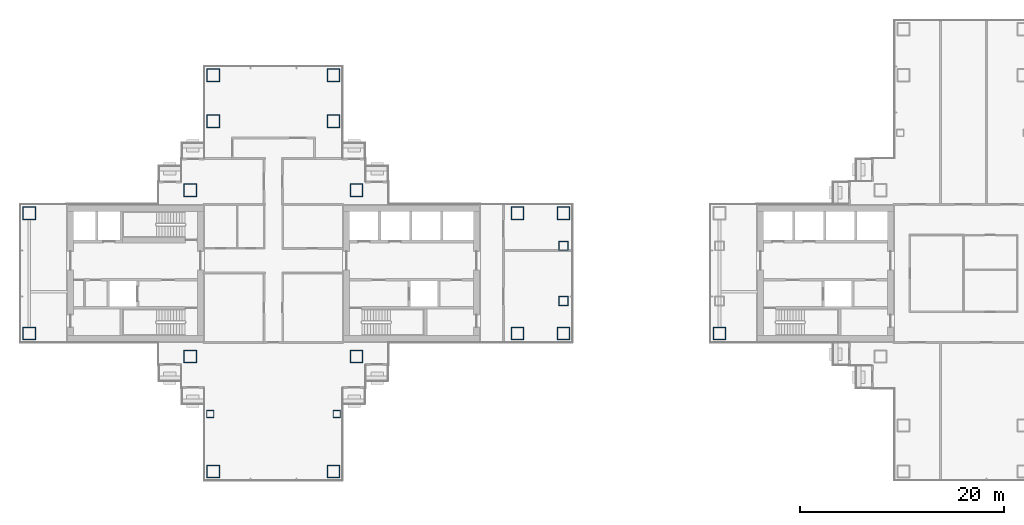
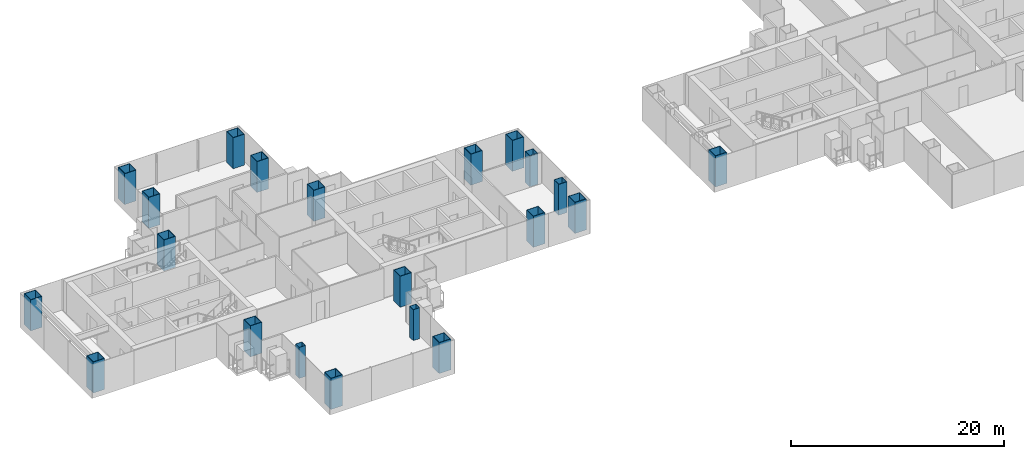
# One storey, part 1 of 20: 21 columns.
"""IFC4 building model written with IfcOpenShell, lengths in metres."""

from ifc_helpers import new_model, si_unit, direction, frame, origin, origin_2d, place, context, subcontext, project, spatial, hollow_rectangle, extrude, material, material_profile, profile_set, type_object, element, save


model = new_model("IFC4")

# Units and contexts
model_context = context("Model", 3, precision=1e-05, world=origin(), true_north=direction((0.0, 1.0)))
body_context = subcontext(model_context, "Body", "Model", "MODEL_VIEW")
ifc_project = project(units=[si_unit("LENGTHUNIT", "METRE"), si_unit("AREAUNIT", "SQUARE_METRE"), si_unit("VOLUMEUNIT", "CUBIC_METRE"), si_unit("PLANEANGLEUNIT", "RADIAN"), si_unit("MASSUNIT", "GRAM", prefix="KILO")], contexts=[model_context])

# Site, building, storey
site_placement = place(None, origin())
site = spatial("IfcSite", under=ifc_project, at=site_placement, CompositionType="ELEMENT")
building_placement = place(site_placement, origin())
building = spatial("IfcBuilding", under=site, at=building_placement, Name="Shamsa Quay Exchange Towers", CompositionType="ELEMENT")
storey_placement = place(building_placement, frame((0.0, 0.0, 120.89990234375)))
storey = spatial("IfcBuildingStorey", under=building, at=storey_placement, Name="L28", CompositionType="ELEMENT", Elevation=120.89990234375)

# Columns
ifc_material_1 = material(Name="Concrete-filled steel tube S355 / C80/95", Category="concrete")
ifc_material_profile_1 = material_profile(ifc_material_1, hollow_rectangle(XDim=1.25, YDim=1.25, WallThickness=0.050048828125, at=origin_2d()), Name="CFT 1250x1250x50")
ifc_profile_set_1 = profile_set([ifc_material_profile_1], Name="Concrete-filled steel tube S355 / C80/95")
column_type_1 = type_object("IfcColumnType", Name="Column CFT 1250x1250x50", PredefinedType="COLUMN", material=ifc_profile_set_1)
for number, where, name in (
    (1, (-25.625, 8.125, 0.0), "Mega column T1-CM01"),
    (2, (-25.625, -8.125, 0.0), "Mega column T1-CM02"),
    (3, (-41.875, 8.125, 0.0), "Mega column T1-CM03"),
    (4, (-41.875, -8.125, 0.0), "Mega column T1-CM04"),
    (5, (-9.875, -5.875, 0.0), "Mega column T1-CM05"),
    (6, (-5.375, -5.875, 0.0), "Mega column T1-CM06"),
    (7, (-9.875, 5.875, 0.0), "Mega column T1-CM07"),
    (8, (-5.375, 5.875, 0.0), "Mega column T1-CM08"),
    (9, (-57.625, -5.875, 0.0), "Mega column T1-CM09"),
    (10, (-57.625, 5.875, 0.0), "Mega column T1-CM11"),
    (11, (-39.625, 14.875, 0.0), "Mega column T1-CM13"),
    (12, (-39.625, 19.375, 0.0), "Mega column T1-CM14"),
    (13, (-27.875, 14.875, 0.0), "Mega column T1-CM16"),
    (14, (-27.875, 19.375, 0.0), "Mega column T1-CM17"),
    (15, (-39.625, -19.375, 0.0), "Mega column T1-CM20"),
    (16, (-27.875, -19.375, 0.0), "Mega column T1-CM23"),
    (17, (9.875, -5.875, 0.0), "Mega column T2-CM19"),
):
    element("IfcColumn", number, at=place(storey_placement, frame(where)), inside=storey, type_object=column_type_1, Name=name, PredefinedType="COLUMN", context=body_context, shape_type="SweptSolid", body=[
        extrude(hollow_rectangle(XDim=1.25, YDim=1.25, WallThickness=0.050048828125, at=origin_2d()), origin(), (0.0, 0.0, 1.0), 3.550048828125),
    ])
ifc_material_2 = material(Name="Concrete-filled steel tube S355 / C60/75", Category="concrete")
ifc_material_profile_2 = material_profile(ifc_material_2, hollow_rectangle(XDim=0.699951171875, YDim=0.699951171875, WallThickness=0.02490234375, at=origin_2d()), Name="CFT 700x700x25")
ifc_profile_set_2 = profile_set([ifc_material_profile_2], Name="Concrete-filled steel tube S355 / C60/75")
column_type_2 = type_object("IfcColumnType", Name="Column CFT 700x700x25", PredefinedType="COLUMN", material=ifc_profile_set_2)
for number, where, name in (
    (18, (-39.9375, -13.75, 0.0), "Perimeter column T1-CP19"),
    (19, (-27.5625, -13.75, 0.0), "Perimeter column T1-CP22"),
):
    element("IfcColumn", number, at=place(storey_placement, frame(where)), inside=storey, type_object=column_type_2, Name=name, PredefinedType="COLUMN", context=body_context, shape_type="SweptSolid", body=[
        extrude(hollow_rectangle(XDim=0.699951171875, YDim=0.699951171875, WallThickness=0.02490234375, at=origin_2d()), origin(), (0.0, 0.0, 1.0), 3.550048828125),
    ])
ifc_material_3 = material(Name="Concrete-filled steel tube S355 / C70/85", Category="concrete")
ifc_material_profile_3 = material_profile(ifc_material_3, hollow_rectangle(XDim=0.89990234375, YDim=0.89990234375, WallThickness=0.035888671875, at=origin_2d()), Name="CFT 900x900x36")
ifc_profile_set_3 = profile_set([ifc_material_profile_3], Name="Concrete-filled steel tube S355 / C70/85")
column_type_3 = type_object("IfcColumnType", Name="Landing column CFT 900x900x36", PredefinedType="COLUMN", material=ifc_profile_set_3)
for number, where, name in (
    (20, (-5.375, -2.699951171875, 0.0), "Landing column T1 S"),
    (21, (-5.375, 2.699951171875, 0.0), "Landing column T1 N"),
):
    element("IfcColumn", number, at=place(storey_placement, frame(where)), inside=storey, type_object=column_type_3, Name=name, PredefinedType="COLUMN", context=body_context, shape_type="SweptSolid", body=[
        extrude(hollow_rectangle(XDim=0.89990234375, YDim=0.89990234375, WallThickness=0.035888671875, at=origin_2d()), origin(), (0.0, 0.0, 1.0), 3.550048828125),
    ])

save(model, "model.ifc")
